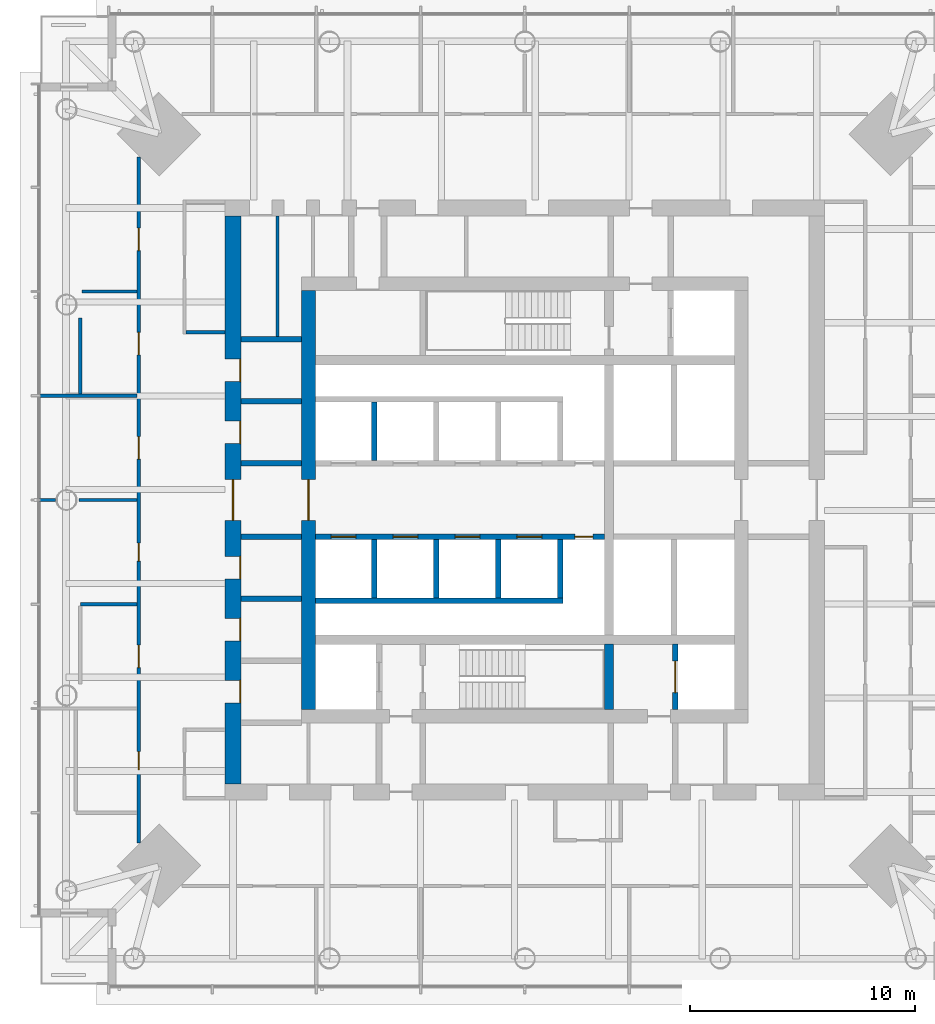
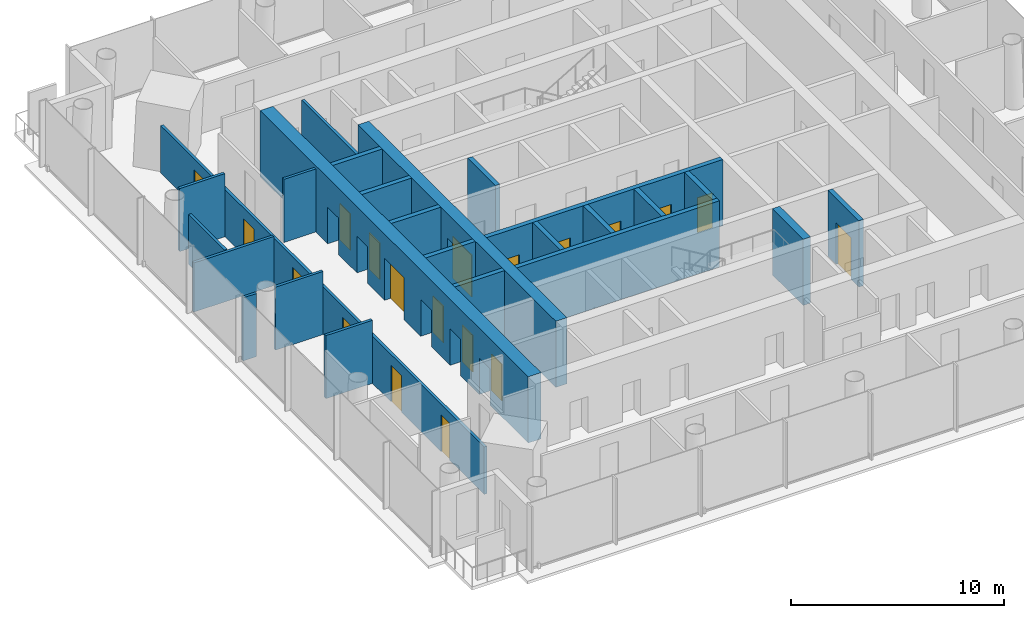
# One storey, part 6 of 16: 25 walls, 19 doors, 19 openings.
"""IFC4 building model written with IfcOpenShell, lengths in metres."""

from ifc_helpers import new_model, si_unit, direction, frame, frame_2d, origin, place, context, subcontext, project, spatial, rectangle, extrude, material, layer, layer_set, type_object, element, fill, save


model = new_model("IFC4")

# Units and contexts
model_context = context("Model", 3, precision=1e-05, world=origin(), true_north=direction((0.0, 1.0)))
body_context = subcontext(model_context, "Body", "Model", "MODEL_VIEW")
ifc_project = project(units=[si_unit("LENGTHUNIT", "METRE"), si_unit("AREAUNIT", "SQUARE_METRE"), si_unit("VOLUMEUNIT", "CUBIC_METRE"), si_unit("PLANEANGLEUNIT", "RADIAN"), si_unit("MASSUNIT", "GRAM", prefix="KILO")], contexts=[model_context])

# Site, building, storey
site_placement = place(None, origin())
site = spatial("IfcSite", under=ifc_project, at=site_placement, CompositionType="ELEMENT")
building_placement = place(site_placement, origin())
building = spatial("IfcBuilding", under=site, at=building_placement, Name="Ostroluk Exchange", CompositionType="ELEMENT")
storey_placement = place(building_placement, frame((0.0, 0.0, 135.0)))
storey = spatial("IfcBuildingStorey", under=building, at=storey_placement, Name="L34", CompositionType="ELEMENT", Elevation=135.0)

# Walls
ifc_material_1 = material(Name="Concrete blockwork", Category="masonry")
ifc_layer_1 = layer(ifc_material_1, 0.14990234375)
ifc_layer_set_1 = layer_set([ifc_layer_1], Name="Blockwork plant room wall 150")
wall_type_1 = type_object("IfcWallType", Name="Blockwork plant room wall 150", PredefinedType="SOLIDWALL", material=ifc_layer_set_1)
wall_1_placement = place(storey_placement, frame((34.0234375, 53.25, 0.0), z_axis=(0.0, 0.0, 1.0), x_axis=(0.0, 1.0, 0.0)))
element("IfcWall", 1, at=wall_1_placement, inside=storey, type_object=wall_type_1, Name="Core room wall", PredefinedType="SOLIDWALL", context=body_context, shape_type="SweptSolid", body=[
    extrude(rectangle(XDim=5.35009765625, YDim=0.14990234375, at=frame_2d((2.675048828125, 0.0))), origin(), (0.0, 0.0, 1.0), 3.6201171875),
])
ifc_material_2 = material(Name="Concrete C50/60", Category="concrete")
ifc_layer_2 = layer(ifc_material_2, 0.39990234375)
ifc_layer_set_2 = layer_set([ifc_layer_2], Name="Core cross wall 400 C50/60")
wall_type_2 = type_object("IfcWallType", Name="Core cross wall 400 C50/60", PredefinedType="SHEAR", material=ifc_layer_set_2)
wall_2_placement = place(storey_placement, frame((48.72998046875, 36.699951171875, 0.0), z_axis=(0.0, 0.0, 1.0), x_axis=(0.0, 1.0, 0.0)))
element("IfcWall", 2, at=wall_2_placement, inside=storey, type_object=wall_type_2, Name="T1 core wall YE1", PredefinedType="SHEAR", context=body_context, shape_type="SweptSolid", body=[
    extrude(rectangle(XDim=2.900146484375, YDim=0.39990234375, at=frame_2d((1.4501953125, 0.0))), origin(), (0.0, 0.0, 1.0), 3.800048828125),
])

# Wall, opening, door
ifc_material_3 = material(Name="Concrete C40/50", Category="concrete")
ifc_layer_3 = layer(ifc_material_3, 0.25)
ifc_layer_set_3 = layer_set([ifc_layer_3], Name="Core shaft wall 250")
wall_type_3 = type_object("IfcWallType", Name="Core shaft wall 250", PredefinedType="SHEAR", material=ifc_layer_set_3)
wall_3_placement = place(storey_placement, frame((51.675048828125, 36.699951171875, 0.0), z_axis=(0.0, 0.0, 1.0), x_axis=(0.0, 1.0, 0.0)))
wall_3 = element("IfcWall", 3, at=wall_3_placement, inside=storey, type_object=wall_type_3, Name="Service lift shaft wall", PredefinedType="SHEAR", context=body_context, shape_type="SweptSolid", body=[
    extrude(rectangle(XDim=2.900146484375, YDim=0.25, at=frame_2d((1.4501953125, 0.0))), origin(), (0.0, 0.0, 1.0), 3.800048828125),
])
opening_1_placement = place(wall_3_placement, frame((0.75, 0.0, 0.0)))
opening_1 = element("IfcOpeningElement", 4, at=opening_1_placement, cuts=wall_3, Name="Opening LD3", PredefinedType="OPENING", context=body_context, shape_type="SweptSolid", body=[
    extrude(rectangle(XDim=1.39990234375, YDim=2.39990234375, at=frame_2d((0.699951171875, 1.199951171875))), frame((0.0, 0.135009765625, 0.0), z_axis=(0.0, -1.0, 0.0), x_axis=(1.0, 0.0, 0.0)), (0.0, 0.0, 1.0), 0.27001953125),
])
ifc_material_4 = material(Name="Stainless steel", Category="steel")
door_type_1 = type_object("IfcDoorType", Name="Goods lift landing door E 60 1400 x 2400", OperationType="DOUBLE_DOOR_SLIDING", PredefinedType="DOOR", material=ifc_material_4)
door_1_placement = place(opening_1_placement, origin())
door_1 = element("IfcDoor", 5, at=door_1_placement, inside=storey, type_object=door_type_1, Name="Lift SL1 landing door", OperationType="DOUBLE_DOOR_SLIDING", OverallHeight=2.39990234375, OverallWidth=1.39990234375, PredefinedType="DOOR", context=body_context, shape_type="SweptSolid", body=[
    extrude(rectangle(XDim=1.39990234375, YDim=2.39990234375, at=frame_2d((0.699951171875, 1.199951171875))), frame((0.0, 0.02490234375, 0.0), z_axis=(0.0, -1.0, 0.0), x_axis=(1.0, 0.0, 0.0)), (0.0, 0.0, 1.0), 0.050048828125),
])
fill(opening_1, door_1)

# Walls
for number, where, z_axis, x_axis, name in (
    (6, (38.324951171875, 47.75, 0.0), (0.0, 0.0, 1.0), (0.0, 1.0, 0.0), "Lift shaft wall"),
    (7, (38.324951171875, 44.25, 0.0), (0.0, 0.0, 1.0), (0.0, -1.0, 0.0), "Lift shaft wall"),
    (8, (41.074951171875, 44.25, 0.0), (0.0, 0.0, 1.0), (0.0, -1.0, 0.0), "Lift shaft wall"),
    (9, (43.824951171875, 44.25, 0.0), (0.0, 0.0, 1.0), (0.0, -1.0, 0.0), "Lift shaft wall"),
    (10, (46.574951171875, 44.25, 0.0), (0.0, 0.0, 1.0), (0.0, -1.0, 0.0), "Lift shaft wall"),
):
    element("IfcWall", number, at=place(storey_placement, frame(where, z_axis=z_axis, x_axis=x_axis)), inside=storey, type_object=wall_type_3, Name=name, PredefinedType="SHEAR", context=body_context, shape_type="SweptSolid", body=[
        extrude(rectangle(XDim=2.60009765625, YDim=0.25, at=frame_2d((1.300048828125, 0.0))), origin(), (0.0, 0.0, 1.0), 3.800048828125),
    ])
wall_4_placement = place(storey_placement, frame((35.699951171875, 41.52490234375, 0.0), z_axis=(0.0, 0.0, 1.0), x_axis=(1.0, 0.0, 0.0)))
element("IfcWall", 11, at=wall_4_placement, inside=storey, type_object=wall_type_3, Name="Lift shaft wall", PredefinedType="SHEAR", context=body_context, shape_type="SweptSolid", body=[
    extrude(rectangle(XDim=11.0, YDim=0.25, at=frame_2d((5.5, 0.0))), origin(), (0.0, 0.0, 1.0), 3.800048828125),
])

# Wall, openings, doors
wall_5_placement = place(storey_placement, frame((35.699951171875, 44.375, 0.0), z_axis=(0.0, 0.0, 1.0), x_axis=(1.0, 0.0, 0.0)))
wall_5 = element("IfcWall", 12, at=wall_5_placement, inside=storey, type_object=wall_type_3, Name="Lift shaft front wall", PredefinedType="SHEAR", context=body_context, shape_type="SweptSolid", body=[
    extrude(rectangle(XDim=12.830078125, YDim=0.25, at=frame_2d((6.4150390625, 0.0))), origin(), (0.0, 0.0, 1.0), 3.800048828125),
])
opening_2_placement = place(wall_5_placement, frame((0.699951171875, 0.0, 0.0)))
opening_2 = element("IfcOpeningElement", 13, at=opening_2_placement, cuts=wall_5, Name="Opening LD", PredefinedType="OPENING", context=body_context, shape_type="SweptSolid", body=[
    extrude(rectangle(XDim=1.10009765625, YDim=2.199951171875, at=frame_2d((0.550048828125, 1.10009765625))), frame((0.0, 0.135009765625, 0.0), z_axis=(0.0, -1.0, 0.0), x_axis=(1.0, 0.0, 0.0)), (0.0, 0.0, 1.0), 0.27001953125),
])
opening_3_placement = place(wall_5_placement, frame((3.449951171875, 0.0, 0.0)))
opening_3 = element("IfcOpeningElement", 14, at=opening_3_placement, cuts=wall_5, Name="Opening LD", PredefinedType="OPENING", context=body_context, shape_type="SweptSolid", body=[
    extrude(rectangle(XDim=1.10009765625, YDim=2.199951171875, at=frame_2d((0.550048828125, 1.10009765625))), frame((0.0, 0.135009765625, 0.0), z_axis=(0.0, -1.0, 0.0), x_axis=(1.0, 0.0, 0.0)), (0.0, 0.0, 1.0), 0.27001953125),
])
opening_4_placement = place(wall_5_placement, frame((6.199951171875, 0.0, 0.0)))
opening_4 = element("IfcOpeningElement", 15, at=opening_4_placement, cuts=wall_5, Name="Opening LD", PredefinedType="OPENING", context=body_context, shape_type="SweptSolid", body=[
    extrude(rectangle(XDim=1.10009765625, YDim=2.199951171875, at=frame_2d((0.550048828125, 1.10009765625))), frame((0.0, 0.135009765625, 0.0), z_axis=(0.0, -1.0, 0.0), x_axis=(1.0, 0.0, 0.0)), (0.0, 0.0, 1.0), 0.27001953125),
])
opening_5_placement = place(wall_5_placement, frame((8.949951171875, 0.0, 0.0)))
opening_5 = element("IfcOpeningElement", 16, at=opening_5_placement, cuts=wall_5, Name="Opening LD", PredefinedType="OPENING", context=body_context, shape_type="SweptSolid", body=[
    extrude(rectangle(XDim=1.10009765625, YDim=2.199951171875, at=frame_2d((0.550048828125, 1.10009765625))), frame((0.0, 0.135009765625, 0.0), z_axis=(0.0, -1.0, 0.0), x_axis=(1.0, 0.0, 0.0)), (0.0, 0.0, 1.0), 0.27001953125),
])
opening_6_placement = place(wall_5_placement, frame((11.514892578125, 0.0, 0.0)))
opening_6 = element("IfcOpeningElement", 17, at=opening_6_placement, cuts=wall_5, Name="Opening RD60", PredefinedType="OPENING", context=body_context, shape_type="SweptSolid", body=[
    extrude(rectangle(XDim=0.800048828125, YDim=2.0, at=frame_2d((0.39990234375, 1.0))), frame((0.0, 0.135009765625, 0.0), z_axis=(0.0, -1.0, 0.0), x_axis=(1.0, 0.0, 0.0)), (0.0, 0.0, 1.0), 0.27001953125),
])
ifc_material_5 = material(Name="Stainless steel", Category="steel")
door_type_2 = type_object("IfcDoorType", Name="Lift landing door E 60 1100 x 2200", OperationType="DOUBLE_DOOR_SLIDING", PredefinedType="DOOR", material=ifc_material_5)
door_2_placement = place(opening_2_placement, origin())
door_2 = element("IfcDoor", 18, at=door_2_placement, inside=storey, type_object=door_type_2, Name="Lift PL-M5 landing door", OperationType="DOUBLE_DOOR_SLIDING", OverallHeight=2.199951171875, OverallWidth=1.10009765625, PredefinedType="DOOR", context=body_context, shape_type="SweptSolid", body=[
    extrude(rectangle(XDim=1.10009765625, YDim=2.199951171875, at=frame_2d((0.550048828125, 1.10009765625))), frame((0.0, 0.02490234375, 0.0), z_axis=(0.0, -1.0, 0.0), x_axis=(1.0, 0.0, 0.0)), (0.0, 0.0, 1.0), 0.050048828125),
])
fill(opening_2, door_2)
door_3_placement = place(opening_3_placement, origin())
door_3 = element("IfcDoor", 19, at=door_3_placement, inside=storey, type_object=door_type_2, Name="Lift PL-M6 landing door", OperationType="DOUBLE_DOOR_SLIDING", OverallHeight=2.199951171875, OverallWidth=1.10009765625, PredefinedType="DOOR", context=body_context, shape_type="SweptSolid", body=[
    extrude(rectangle(XDim=1.10009765625, YDim=2.199951171875, at=frame_2d((0.550048828125, 1.10009765625))), frame((0.0, 0.02490234375, 0.0), z_axis=(0.0, -1.0, 0.0), x_axis=(1.0, 0.0, 0.0)), (0.0, 0.0, 1.0), 0.050048828125),
])
fill(opening_3, door_3)
door_4_placement = place(opening_4_placement, origin())
door_4 = element("IfcDoor", 20, at=door_4_placement, inside=storey, type_object=door_type_2, Name="Lift PL-M7 landing door", OperationType="DOUBLE_DOOR_SLIDING", OverallHeight=2.199951171875, OverallWidth=1.10009765625, PredefinedType="DOOR", context=body_context, shape_type="SweptSolid", body=[
    extrude(rectangle(XDim=1.10009765625, YDim=2.199951171875, at=frame_2d((0.550048828125, 1.10009765625))), frame((0.0, 0.02490234375, 0.0), z_axis=(0.0, -1.0, 0.0), x_axis=(1.0, 0.0, 0.0)), (0.0, 0.0, 1.0), 0.050048828125),
])
fill(opening_4, door_4)
door_5_placement = place(opening_5_placement, origin())
door_5 = element("IfcDoor", 21, at=door_5_placement, inside=storey, type_object=door_type_2, Name="Lift PL-M8 landing door", OperationType="DOUBLE_DOOR_SLIDING", OverallHeight=2.199951171875, OverallWidth=1.10009765625, PredefinedType="DOOR", context=body_context, shape_type="SweptSolid", body=[
    extrude(rectangle(XDim=1.10009765625, YDim=2.199951171875, at=frame_2d((0.550048828125, 1.10009765625))), frame((0.0, 0.02490234375, 0.0), z_axis=(0.0, -1.0, 0.0), x_axis=(1.0, 0.0, 0.0)), (0.0, 0.0, 1.0), 0.050048828125),
])
fill(opening_5, door_5)
ifc_material_6 = material(Name="Steel", Category="steel")
door_type_3 = type_object("IfcDoorType", Name="Riser access door EI 60 800 x 2000", OperationType="SINGLE_SWING_LEFT", PredefinedType="DOOR", material=ifc_material_6)
door_6_placement = place(opening_6_placement, origin())
door_6 = element("IfcDoor", 22, at=door_6_placement, inside=storey, type_object=door_type_3, Name="Riser access door", OperationType="SINGLE_SWING_RIGHT", OverallHeight=2.0, OverallWidth=0.800048828125, PredefinedType="DOOR", context=body_context, shape_type="SweptSolid", body=[
    extrude(rectangle(XDim=0.800048828125, YDim=2.0, at=frame_2d((0.39990234375, 1.0))), frame((0.0, 0.02490234375, 0.0), z_axis=(0.0, -1.0, 0.0), x_axis=(1.0, 0.0, 0.0)), (0.0, 0.0, 1.0), 0.050048828125),
])
fill(opening_6, door_6)

# Walls
for number, where, z_axis, x_axis, name in (
    (23, (32.39990234375, 41.625, 0.0), (0.0, 0.0, 1.0), (1.0, 0.0, 0.0), "Lift shaft wall"),
    (24, (32.39990234375, 44.375, 0.0), (0.0, 0.0, 1.0), (1.0, 0.0, 0.0), "Lift shaft wall"),
    (25, (32.39990234375, 47.625, 0.0), (0.0, 0.0, 1.0), (1.0, 0.0, 0.0), "Lift shaft wall"),
    (26, (32.39990234375, 50.375, 0.0), (0.0, 0.0, 1.0), (1.0, 0.0, 0.0), "Lift shaft wall"),
    (27, (32.39990234375, 53.125, 0.0), (0.0, 0.0, 1.0), (1.0, 0.0, 0.0), "Lift shaft wall"),
):
    element("IfcWall", number, at=place(storey_placement, frame(where, z_axis=z_axis, x_axis=x_axis)), inside=storey, type_object=wall_type_3, Name=name, PredefinedType="SHEAR", context=body_context, shape_type="SweptSolid", body=[
        extrude(rectangle(XDim=2.7001953125, YDim=0.25, at=frame_2d((1.35009765625, 0.0))), origin(), (0.0, 0.0, 1.0), 3.800048828125),
    ])

# Wall, opening, door
ifc_material_7 = material(Name="Concrete C50/60", Category="concrete")
ifc_layer_4 = layer(ifc_material_7, 0.60009765625)
ifc_layer_set_4 = layer_set([ifc_layer_4], Name="Core wall 600 C50/60")
wall_type_4 = type_object("IfcWallType", Name="Core wall 600 C50/60", PredefinedType="SHEAR", material=ifc_layer_set_4)
wall_6_placement = place(storey_placement, frame((35.39990234375, 36.699951171875, 0.0), z_axis=(0.0, 0.0, 1.0), x_axis=(0.0, 1.0, 0.0)))
wall_6 = element("IfcWall", 28, at=wall_6_placement, inside=storey, type_object=wall_type_4, Name="T1 core wall W", PredefinedType="SHEAR", context=body_context, shape_type="SweptSolid", body=[
    extrude(rectangle(XDim=18.60009765625, YDim=0.60009765625, at=frame_2d((9.300048828125, 0.0))), origin(), (0.0, 0.0, 1.0), 3.800048828125),
])
opening_7_placement = place(wall_6_placement, frame((8.39990234375, 0.0, 0.0)))
opening_7 = element("IfcOpeningElement", 29, at=opening_7_placement, cuts=wall_6, Name="Opening FD30D", PredefinedType="OPENING", context=body_context, shape_type="SweptSolid", body=[
    extrude(rectangle(XDim=1.800048828125, YDim=2.39990234375, at=frame_2d((0.89990234375, 1.199951171875))), frame((0.0, 0.31005859375, 0.0), z_axis=(0.0, -1.0, 0.0), x_axis=(1.0, 0.0, 0.0)), (0.0, 0.0, 1.0), 0.6201171875),
])
ifc_material_8 = material(Name="Timber", Category="wood")
door_type_4 = type_object("IfcDoorType", Name="Lobby double door EI 30 1800 x 2400", OperationType="DOUBLE_DOOR_SINGLE_SWING", PredefinedType="DOOR", material=ifc_material_8)
door_7_placement = place(opening_7_placement, origin())
door_7 = element("IfcDoor", 30, at=door_7_placement, inside=storey, type_object=door_type_4, Name="Lift lobby doors", OperationType="DOUBLE_DOOR_SINGLE_SWING", OverallHeight=2.39990234375, OverallWidth=1.800048828125, PredefinedType="DOOR", context=body_context, shape_type="SweptSolid", body=[
    extrude(rectangle(XDim=1.800048828125, YDim=2.39990234375, at=frame_2d((0.89990234375, 1.199951171875))), frame((0.0, 0.02490234375, 0.0), z_axis=(0.0, -1.0, 0.0), x_axis=(1.0, 0.0, 0.0)), (0.0, 0.0, 1.0), 0.050048828125),
])
fill(opening_7, door_7)

# Wall, openings, doors
ifc_material_9 = material(Name="Concrete C50/60", Category="concrete")
ifc_layer_5 = layer(ifc_material_9, 0.699951171875)
ifc_layer_set_5 = layer_set([ifc_layer_5], Name="Core wall 700 C50/60")
wall_type_5 = type_object("IfcWallType", Name="Core wall 700 C50/60", PredefinedType="SHEAR", material=ifc_layer_set_5)
wall_7_placement = place(storey_placement, frame((32.050048828125, 33.39990234375, 0.0), z_axis=(0.0, 0.0, 1.0), x_axis=(0.0, 1.0, 0.0)))
wall_7 = element("IfcWall", 31, at=wall_7_placement, inside=storey, type_object=wall_type_5, Name="T1 core wall RW", PredefinedType="SHEAR", context=body_context, shape_type="SweptSolid", body=[
    extrude(rectangle(XDim=25.2001953125, YDim=0.699951171875, at=frame_2d((12.60009765625, 0.0))), origin(), (0.0, 0.0, 1.0), 3.800048828125),
])
opening_8_placement = place(wall_7_placement, frame((11.699951171875, 0.0, 0.0)))
opening_8 = element("IfcOpeningElement", 32, at=opening_8_placement, cuts=wall_7, Name="Opening FD30D", PredefinedType="OPENING", context=body_context, shape_type="SweptSolid", body=[
    extrude(rectangle(XDim=1.800048828125, YDim=2.39990234375, at=frame_2d((0.89990234375, 1.199951171875))), frame((0.0, 0.35986328125, 0.0), z_axis=(0.0, -1.0, 0.0), x_axis=(1.0, 0.0, 0.0)), (0.0, 0.0, 1.0), 0.719970703125),
])
opening_9_placement = place(wall_7_placement, frame((3.60009765625, 0.0, 0.0)))
opening_9 = element("IfcOpeningElement", 33, at=opening_9_placement, cuts=wall_7, Name="Opening FD60", PredefinedType="OPENING", context=body_context, shape_type="SweptSolid", body=[
    extrude(rectangle(XDim=1.0, YDim=2.10009765625, at=frame_2d((0.5, 1.050048828125))), frame((0.0, 0.35986328125, 0.0), z_axis=(0.0, -1.0, 0.0), x_axis=(1.0, 0.0, 0.0)), (0.0, 0.0, 1.0), 0.719970703125),
])
opening_10_placement = place(wall_7_placement, frame((6.35009765625, 0.0, 0.0)))
opening_10 = element("IfcOpeningElement", 34, at=opening_10_placement, cuts=wall_7, Name="Opening FD60", PredefinedType="OPENING", context=body_context, shape_type="SweptSolid", body=[
    extrude(rectangle(XDim=1.0, YDim=2.10009765625, at=frame_2d((0.5, 1.050048828125))), frame((0.0, 0.35986328125, 0.0), z_axis=(0.0, -1.0, 0.0), x_axis=(1.0, 0.0, 0.0)), (0.0, 0.0, 1.0), 0.719970703125),
])
opening_11_placement = place(wall_7_placement, frame((9.10009765625, 0.0, 0.0)))
opening_11 = element("IfcOpeningElement", 35, at=opening_11_placement, cuts=wall_7, Name="Opening FD60", PredefinedType="OPENING", context=body_context, shape_type="SweptSolid", body=[
    extrude(rectangle(XDim=1.0, YDim=2.10009765625, at=frame_2d((0.5, 1.050048828125))), frame((0.0, 0.35986328125, 0.0), z_axis=(0.0, -1.0, 0.0), x_axis=(1.0, 0.0, 0.0)), (0.0, 0.0, 1.0), 0.719970703125),
])
opening_12_placement = place(wall_7_placement, frame((15.10009765625, 0.0, 0.0)))
opening_12 = element("IfcOpeningElement", 36, at=opening_12_placement, cuts=wall_7, Name="Opening FD60", PredefinedType="OPENING", context=body_context, shape_type="SweptSolid", body=[
    extrude(rectangle(XDim=1.0, YDim=2.10009765625, at=frame_2d((0.5, 1.050048828125))), frame((0.0, 0.35986328125, 0.0), z_axis=(0.0, -1.0, 0.0), x_axis=(1.0, 0.0, 0.0)), (0.0, 0.0, 1.0), 0.719970703125),
])
opening_13_placement = place(wall_7_placement, frame((17.85009765625, 0.0, 0.0)))
opening_13 = element("IfcOpeningElement", 37, at=opening_13_placement, cuts=wall_7, Name="Opening FD60", PredefinedType="OPENING", context=body_context, shape_type="SweptSolid", body=[
    extrude(rectangle(XDim=1.0, YDim=2.10009765625, at=frame_2d((0.5, 1.050048828125))), frame((0.0, 0.35986328125, 0.0), z_axis=(0.0, -1.0, 0.0), x_axis=(1.0, 0.0, 0.0)), (0.0, 0.0, 1.0), 0.719970703125),
])
ifc_material_10 = material(Name="Steel", Category="steel")
door_type_5 = type_object("IfcDoorType", Name="Fire door EI 60 1000 x 2100", OperationType="SINGLE_SWING_LEFT", PredefinedType="DOOR", material=ifc_material_10)
door_8_placement = place(opening_9_placement, origin())
door_8 = element("IfcDoor", 38, at=door_8_placement, inside=storey, type_object=door_type_5, Name="Cleaner's store door", OperationType="SINGLE_SWING_LEFT", OverallHeight=2.10009765625, OverallWidth=1.0, PredefinedType="DOOR", context=body_context, shape_type="SweptSolid", body=[
    extrude(rectangle(XDim=1.0, YDim=2.10009765625, at=frame_2d((0.5, 1.050048828125))), frame((0.0, -0.2900390625, 0.0), z_axis=(0.0, -1.0, 0.0), x_axis=(1.0, 0.0, 0.0)), (0.0, 0.0, 1.0), 0.050048828125),
])
fill(opening_9, door_8)
door_9_placement = place(opening_10_placement, origin())
door_9 = element("IfcDoor", 39, at=door_9_placement, inside=storey, type_object=door_type_5, Name="Comms room door", OperationType="SINGLE_SWING_LEFT", OverallHeight=2.10009765625, OverallWidth=1.0, PredefinedType="DOOR", context=body_context, shape_type="SweptSolid", body=[
    extrude(rectangle(XDim=1.0, YDim=2.10009765625, at=frame_2d((0.5, 1.050048828125))), frame((0.0, -0.2900390625, 0.0), z_axis=(0.0, -1.0, 0.0), x_axis=(1.0, 0.0, 0.0)), (0.0, 0.0, 1.0), 0.050048828125),
])
fill(opening_10, door_9)
door_10_placement = place(opening_11_placement, origin())
door_10 = element("IfcDoor", 40, at=door_10_placement, inside=storey, type_object=door_type_5, Name="Cleaner's store door", OperationType="SINGLE_SWING_LEFT", OverallHeight=2.10009765625, OverallWidth=1.0, PredefinedType="DOOR", context=body_context, shape_type="SweptSolid", body=[
    extrude(rectangle(XDim=1.0, YDim=2.10009765625, at=frame_2d((0.5, 1.050048828125))), frame((0.0, -0.2900390625, 0.0), z_axis=(0.0, -1.0, 0.0), x_axis=(1.0, 0.0, 0.0)), (0.0, 0.0, 1.0), 0.050048828125),
])
fill(opening_11, door_10)
door_11_placement = place(opening_12_placement, origin())
door_11 = element("IfcDoor", 41, at=door_11_placement, inside=storey, type_object=door_type_5, Name="Comms room door", OperationType="SINGLE_SWING_RIGHT", OverallHeight=2.10009765625, OverallWidth=1.0, PredefinedType="DOOR", context=body_context, shape_type="SweptSolid", body=[
    extrude(rectangle(XDim=1.0, YDim=2.10009765625, at=frame_2d((0.5, 1.050048828125))), frame((0.0, -0.2900390625, 0.0), z_axis=(0.0, -1.0, 0.0), x_axis=(1.0, 0.0, 0.0)), (0.0, 0.0, 1.0), 0.050048828125),
])
fill(opening_12, door_11)
door_12_placement = place(opening_13_placement, origin())
door_12 = element("IfcDoor", 42, at=door_12_placement, inside=storey, type_object=door_type_5, Name="Cleaner's store door", OperationType="SINGLE_SWING_RIGHT", OverallHeight=2.10009765625, OverallWidth=1.0, PredefinedType="DOOR", context=body_context, shape_type="SweptSolid", body=[
    extrude(rectangle(XDim=1.0, YDim=2.10009765625, at=frame_2d((0.5, 1.050048828125))), frame((0.0, -0.2900390625, 0.0), z_axis=(0.0, -1.0, 0.0), x_axis=(1.0, 0.0, 0.0)), (0.0, 0.0, 1.0), 0.050048828125),
])
fill(opening_13, door_12)
door_13_placement = place(opening_8_placement, origin())
door_13 = element("IfcDoor", 43, at=door_13_placement, inside=storey, type_object=door_type_4, Name="Lift lobby doors", OperationType="DOUBLE_DOOR_SINGLE_SWING", OverallHeight=2.39990234375, OverallWidth=1.800048828125, PredefinedType="DOOR", context=body_context, shape_type="SweptSolid", body=[
    extrude(rectangle(XDim=1.800048828125, YDim=2.39990234375, at=frame_2d((0.89990234375, 1.199951171875))), frame((0.0, 0.02490234375, 0.0), z_axis=(0.0, -1.0, 0.0), x_axis=(1.0, 0.0, 0.0)), (0.0, 0.0, 1.0), 0.050048828125),
])
fill(opening_8, door_13)

# Walls
ifc_material_11 = material(Name="Gypsum plasterboard partition", Category="gypsum")
ifc_layer_6 = layer(ifc_material_11, 0.14990234375)
ifc_layer_set_6 = layer_set([ifc_layer_6], Name="Plasterboard partition 150")
wall_type_6 = type_object("IfcWallType", Name="Plasterboard partition 150", PredefinedType="PARTITIONING", material=ifc_layer_set_6)
wall_8_placement = place(storey_placement, frame((31.699951171875, 53.449951171875, 0.0), z_axis=(0.0, 0.0, 1.0), x_axis=(-1.0, 0.0, 0.0)))
element("IfcWall", 44, at=wall_8_placement, inside=storey, type_object=wall_type_6, Name="Partition", PredefinedType="PARTITIONING", context=body_context, shape_type="SweptSolid", body=[
    extrude(rectangle(XDim=1.724853515625, YDim=0.14990234375, at=frame_2d((0.8623046875, 0.0))), origin(), (0.0, 0.0, 1.0), 3.6201171875),
])
wall_9_placement = place(storey_placement, frame((25.27490234375, 54.084228515625, 0.0), z_axis=(0.0, 0.0, 1.0), x_axis=(0.0, -1.0, 0.0)))
element("IfcWall", 45, at=wall_9_placement, inside=storey, type_object=wall_type_6, Name="Partition", PredefinedType="PARTITIONING", context=body_context, shape_type="SweptSolid", body=[
    extrude(rectangle(XDim=3.38427734375, YDim=0.14990234375, at=frame_2d((1.692138671875, 0.0))), origin(), (0.0, 0.0, 1.0), 2.85791015625),
])

# Wall, openings, doors
wall_10_placement = place(storey_placement, frame((27.875, 61.21142578125, 0.0), z_axis=(0.0, 0.0, 1.0), x_axis=(0.0, -1.0, 0.0)))
wall_10 = element("IfcWall", 46, at=wall_10_placement, inside=storey, type_object=wall_type_6, Name="Partition", PredefinedType="PARTITIONING", context=body_context, shape_type="SweptSolid", body=[
    extrude(rectangle(XDim=30.4228515625, YDim=0.14990234375, at=frame_2d((15.21142578125, 0.0))), origin(), (0.0, 0.0, 1.0), 2.719970703125),
])
opening_14_placement = place(wall_10_placement, frame((3.14892578125, 0.0, 0.0)))
opening_14 = element("IfcOpeningElement", 47, at=opening_14_placement, cuts=wall_10, Name="Opening D-03", PredefinedType="OPENING", context=body_context, shape_type="SweptSolid", body=[
    extrude(rectangle(XDim=1.0, YDim=2.10009765625, at=frame_2d((0.5, 1.050048828125))), frame((0.0, 0.0849609375, 0.0), z_axis=(0.0, -1.0, 0.0), x_axis=(1.0, 0.0, 0.0)), (0.0, 0.0, 1.0), 0.169921875),
])
opening_15_placement = place(wall_10_placement, frame((7.77392578125, 0.0, 0.0)))
opening_15 = element("IfcOpeningElement", 48, at=opening_15_placement, cuts=wall_10, Name="Opening D-03", PredefinedType="OPENING", context=body_context, shape_type="SweptSolid", body=[
    extrude(rectangle(XDim=1.0, YDim=2.10009765625, at=frame_2d((0.5, 1.050048828125))), frame((0.0, 0.0849609375, 0.0), z_axis=(0.0, -1.0, 0.0), x_axis=(1.0, 0.0, 0.0)), (0.0, 0.0, 1.0), 0.169921875),
])
opening_16_placement = place(wall_10_placement, frame((12.39892578125, 0.0, 0.0)))
opening_16 = element("IfcOpeningElement", 49, at=opening_16_placement, cuts=wall_10, Name="Opening D-03", PredefinedType="OPENING", context=body_context, shape_type="SweptSolid", body=[
    extrude(rectangle(XDim=1.0, YDim=2.10009765625, at=frame_2d((0.5, 1.050048828125))), frame((0.0, 0.0849609375, 0.0), z_axis=(0.0, -1.0, 0.0), x_axis=(1.0, 0.0, 0.0)), (0.0, 0.0, 1.0), 0.169921875),
])
opening_17_placement = place(wall_10_placement, frame((17.1240234375, 0.0, 0.0)))
opening_17 = element("IfcOpeningElement", 50, at=opening_17_placement, cuts=wall_10, Name="Opening D-06", PredefinedType="OPENING", context=body_context, shape_type="SweptSolid", body=[
    extrude(rectangle(XDim=0.800048828125, YDim=2.10009765625, at=frame_2d((0.39990234375, 1.050048828125))), frame((0.0, 0.0849609375, 0.0), z_axis=(0.0, -1.0, 0.0), x_axis=(1.0, 0.0, 0.0)), (0.0, 0.0, 1.0), 0.169921875),
])
opening_18_placement = place(wall_10_placement, frame((21.64892578125, 0.0, 0.0)))
opening_18 = element("IfcOpeningElement", 51, at=opening_18_placement, cuts=wall_10, Name="Opening D-03", PredefinedType="OPENING", context=body_context, shape_type="SweptSolid", body=[
    extrude(rectangle(XDim=1.0, YDim=2.10009765625, at=frame_2d((0.5, 1.050048828125))), frame((0.0, 0.0849609375, 0.0), z_axis=(0.0, -1.0, 0.0), x_axis=(1.0, 0.0, 0.0)), (0.0, 0.0, 1.0), 0.169921875),
])
opening_19_placement = place(wall_10_placement, frame((26.3740234375, 0.0, 0.0)))
opening_19 = element("IfcOpeningElement", 52, at=opening_19_placement, cuts=wall_10, Name="Opening D-06", PredefinedType="OPENING", context=body_context, shape_type="SweptSolid", body=[
    extrude(rectangle(XDim=0.800048828125, YDim=2.10009765625, at=frame_2d((0.39990234375, 1.050048828125))), frame((0.0, 0.0849609375, 0.0), z_axis=(0.0, -1.0, 0.0), x_axis=(1.0, 0.0, 0.0)), (0.0, 0.0, 1.0), 0.169921875),
])
ifc_material_12 = material(Name="Timber", Category="wood")
door_type_6 = type_object("IfcDoorType", Name="Internal door 1000 x 2100", OperationType="SINGLE_SWING_LEFT", PredefinedType="DOOR", material=ifc_material_12)
door_14_placement = place(opening_14_placement, origin())
door_14 = element("IfcDoor", 53, at=door_14_placement, inside=storey, type_object=door_type_6, Name="Office suite door", OperationType="SINGLE_SWING_LEFT", OverallHeight=2.10009765625, OverallWidth=1.0, PredefinedType="DOOR", context=body_context, shape_type="SweptSolid", body=[
    extrude(rectangle(XDim=1.0, YDim=2.10009765625, at=frame_2d((0.5, 1.050048828125))), frame((0.0, 0.02490234375, 0.0), z_axis=(0.0, -1.0, 0.0), x_axis=(1.0, 0.0, 0.0)), (0.0, 0.0, 1.0), 0.050048828125),
])
fill(opening_14, door_14)
door_15_placement = place(opening_15_placement, origin())
door_15 = element("IfcDoor", 54, at=door_15_placement, inside=storey, type_object=door_type_6, Name="Pantry door", OperationType="SINGLE_SWING_LEFT", OverallHeight=2.10009765625, OverallWidth=1.0, PredefinedType="DOOR", context=body_context, shape_type="SweptSolid", body=[
    extrude(rectangle(XDim=1.0, YDim=2.10009765625, at=frame_2d((0.5, 1.050048828125))), frame((0.0, 0.02490234375, 0.0), z_axis=(0.0, -1.0, 0.0), x_axis=(1.0, 0.0, 0.0)), (0.0, 0.0, 1.0), 0.050048828125),
])
fill(opening_15, door_15)
door_16_placement = place(opening_16_placement, origin())
door_16 = element("IfcDoor", 55, at=door_16_placement, inside=storey, type_object=door_type_6, Name="Office door", OperationType="SINGLE_SWING_LEFT", OverallHeight=2.10009765625, OverallWidth=1.0, PredefinedType="DOOR", context=body_context, shape_type="SweptSolid", body=[
    extrude(rectangle(XDim=1.0, YDim=2.10009765625, at=frame_2d((0.5, 1.050048828125))), frame((0.0, 0.02490234375, 0.0), z_axis=(0.0, -1.0, 0.0), x_axis=(1.0, 0.0, 0.0)), (0.0, 0.0, 1.0), 0.050048828125),
])
fill(opening_16, door_16)
door_17_placement = place(opening_18_placement, origin())
door_17 = element("IfcDoor", 56, at=door_17_placement, inside=storey, type_object=door_type_6, Name="Accessible WC door", OperationType="SINGLE_SWING_RIGHT", OverallHeight=2.10009765625, OverallWidth=1.0, PredefinedType="DOOR", context=body_context, shape_type="SweptSolid", body=[
    extrude(rectangle(XDim=1.0, YDim=2.10009765625, at=frame_2d((0.5, 1.050048828125))), frame((0.0, 0.02490234375, 0.0), z_axis=(0.0, -1.0, 0.0), x_axis=(1.0, 0.0, 0.0)), (0.0, 0.0, 1.0), 0.050048828125),
])
fill(opening_18, door_17)
ifc_material_13 = material(Name="Timber", Category="wood")
door_type_7 = type_object("IfcDoorType", Name="Toilet door 800 x 2100", OperationType="SINGLE_SWING_LEFT", PredefinedType="DOOR", material=ifc_material_13)
door_18_placement = place(opening_17_placement, origin())
door_18 = element("IfcDoor", 57, at=door_18_placement, inside=storey, type_object=door_type_7, Name="WC female door", OperationType="SINGLE_SWING_RIGHT", OverallHeight=2.10009765625, OverallWidth=0.800048828125, PredefinedType="DOOR", context=body_context, shape_type="SweptSolid", body=[
    extrude(rectangle(XDim=0.800048828125, YDim=2.10009765625, at=frame_2d((0.39990234375, 1.050048828125))), frame((0.0, 0.02490234375, 0.0), z_axis=(0.0, -1.0, 0.0), x_axis=(1.0, 0.0, 0.0)), (0.0, 0.0, 1.0), 0.050048828125),
])
fill(opening_17, door_18)
door_19_placement = place(opening_19_placement, origin())
door_19 = element("IfcDoor", 58, at=door_19_placement, inside=storey, type_object=door_type_7, Name="WC male door", OperationType="SINGLE_SWING_RIGHT", OverallHeight=2.10009765625, OverallWidth=0.800048828125, PredefinedType="DOOR", context=body_context, shape_type="SweptSolid", body=[
    extrude(rectangle(XDim=0.800048828125, YDim=2.10009765625, at=frame_2d((0.39990234375, 1.050048828125))), frame((0.0, 0.02490234375, 0.0), z_axis=(0.0, -1.0, 0.0), x_axis=(1.0, 0.0, 0.0)), (0.0, 0.0, 1.0), 0.050048828125),
])
fill(opening_19, door_19)

# Walls
wall_11_placement = place(storey_placement, frame((27.800048828125, 55.25, 0.0), z_axis=(0.0, 0.0, 1.0), x_axis=(-1.0, 0.0, 0.0)))
element("IfcWall", 59, at=wall_11_placement, inside=storey, type_object=wall_type_6, Name="Partition", PredefinedType="PARTITIONING", context=body_context, shape_type="SweptSolid", body=[
    extrude(rectangle(XDim=2.44482421875, YDim=0.14990234375, at=frame_2d((1.222412109375, 0.0))), origin(), (0.0, 0.0, 1.0), 3.6201171875),
])
wall_12_placement = place(storey_placement, frame((27.800048828125, 50.625, 0.0), z_axis=(0.0, 0.0, 1.0), x_axis=(-1.0, 0.0, 0.0)))
element("IfcWall", 60, at=wall_12_placement, inside=storey, type_object=wall_type_6, Name="Partition", PredefinedType="PARTITIONING", context=body_context, shape_type="SweptSolid", body=[
    extrude(rectangle(XDim=4.340087890625, YDim=0.14990234375, at=frame_2d((2.169921875, 0.0))), origin(), (0.0, 0.0, 1.0), 2.820068359375),
])
wall_13_placement = place(storey_placement, frame((27.800048828125, 46.0, 0.0), z_axis=(0.0, 0.0, 1.0), x_axis=(-1.0, 0.0, 0.0)))
element("IfcWall", 61, at=wall_13_placement, inside=storey, type_object=wall_type_6, Name="Partition", PredefinedType="PARTITIONING", context=body_context, shape_type="SweptSolid", body=[
    extrude(rectangle(XDim=2.578857421875, YDim=0.14990234375, at=frame_2d((1.28955078125, 0.0))), origin(), (0.0, 0.0, 1.0), 3.6201171875),
])
wall_14_placement = place(storey_placement, frame((24.185791015625, 46.0, 0.0), z_axis=(0.0, 0.0, 1.0), x_axis=(-1.0, 0.0, 0.0)))
element("IfcWall", 62, at=wall_14_placement, inside=storey, type_object=wall_type_6, Name="Partition", PredefinedType="PARTITIONING", context=body_context, shape_type="SweptSolid", body=[
    extrude(rectangle(XDim=0.725830078125, YDim=0.14990234375, at=frame_2d((0.36279296875, 0.0))), origin(), (0.0, 0.0, 1.0), 3.6201171875),
])
wall_15_placement = place(storey_placement, frame((27.800048828125, 41.375, 0.0), z_axis=(0.0, 0.0, 1.0), x_axis=(-1.0, 0.0, 0.0)))
element("IfcWall", 63, at=wall_15_placement, inside=storey, type_object=wall_type_6, Name="Partition", PredefinedType="PARTITIONING", context=body_context, shape_type="SweptSolid", body=[
    extrude(rectangle(XDim=2.525146484375, YDim=0.14990234375, at=frame_2d((1.2626953125, 0.0))), origin(), (0.0, 0.0, 1.0), 3.6201171875),
])

save(model, "model.ifc")
